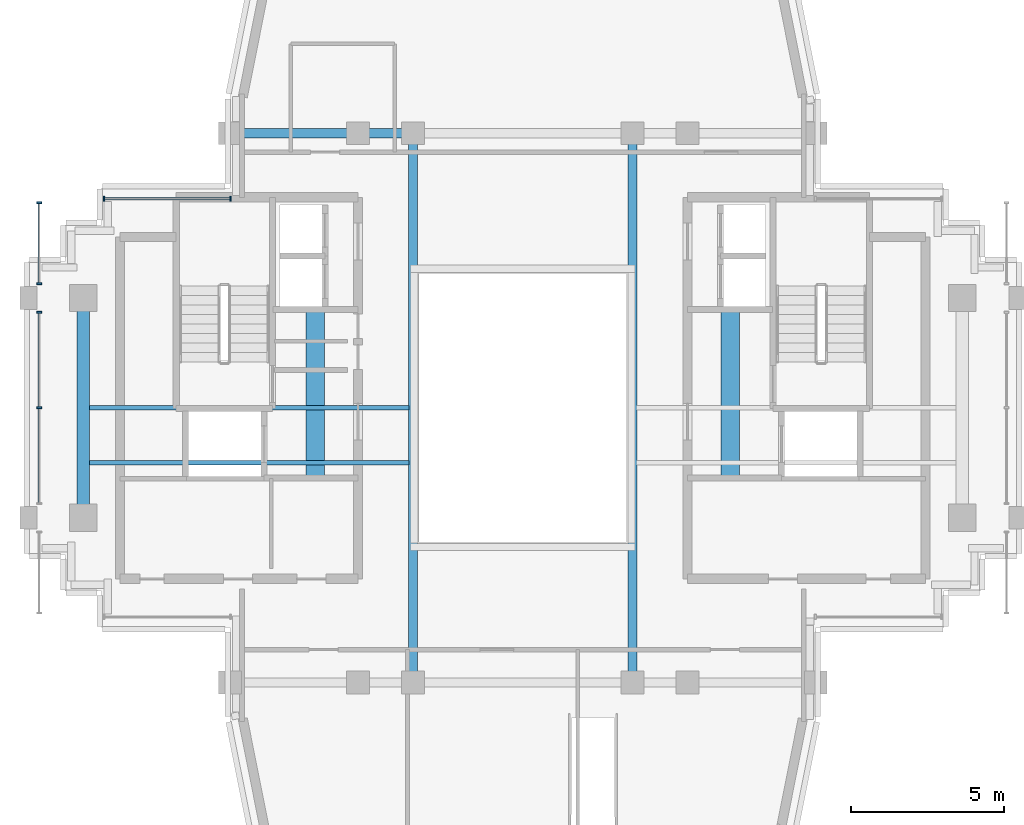
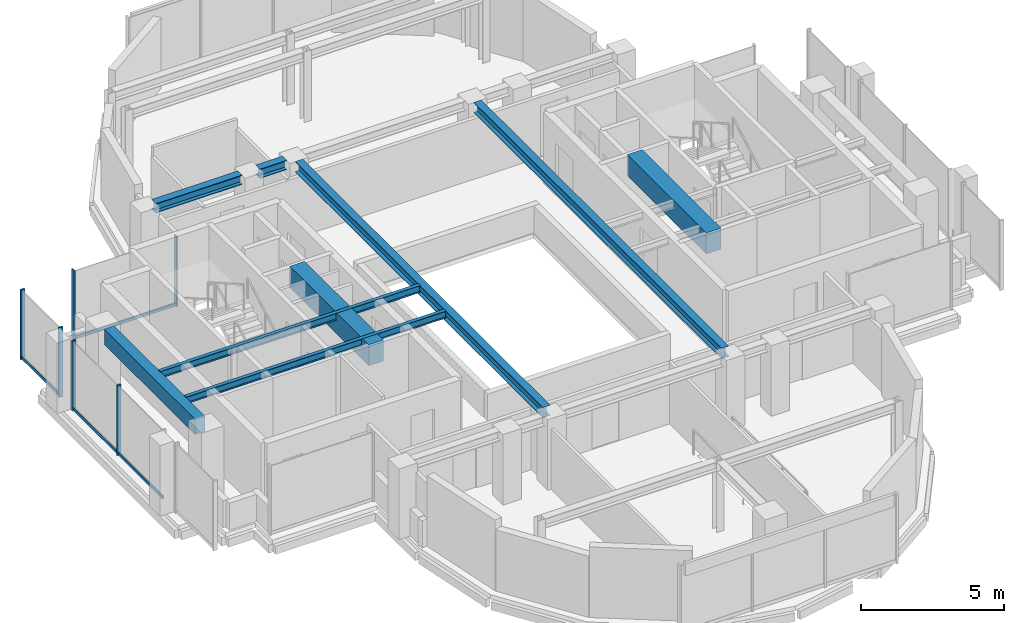
# One storey, part 4 of 11: 10 members, 9 beams, 3 elements without a shape of their own.
"""IFC4 building model written with IfcOpenShell, lengths in metres."""

from ifc_helpers import new_model, si_unit, direction, frame, origin, origin_2d, place, context, subcontext, project, spatial, rectangle, i_section, extrude, source, transform, mapped, material, material_profile, profile_set, type_object, element, aggregate, save


model = new_model("IFC4")

# Units and contexts
model_context = context("Model", 3, precision=1e-05, world=origin(), true_north=direction((0.0, 1.0)))
body_context = subcontext(model_context, "Body", "Model", "MODEL_VIEW")
ifc_project = project(units=[si_unit("LENGTHUNIT", "METRE"), si_unit("AREAUNIT", "SQUARE_METRE"), si_unit("VOLUMEUNIT", "CUBIC_METRE"), si_unit("PLANEANGLEUNIT", "RADIAN"), si_unit("MASSUNIT", "GRAM", prefix="KILO")], contexts=[model_context])

# Site, building, storey
site_placement = place(None, origin())
site = spatial("IfcSite", under=ifc_project, at=site_placement, CompositionType="ELEMENT")
building_placement = place(site_placement, origin())
building = spatial("IfcBuilding", under=site, at=building_placement, Name="Keilestroom Media Tower", CompositionType="ELEMENT")
storey_placement = place(building_placement, frame((0.0, 0.0, 255.60009765625)))
storey = spatial("IfcBuildingStorey", under=building, at=storey_placement, Name="L71", CompositionType="ELEMENT", Elevation=255.60009765625)

# Beams
ifc_material_1 = material(Name="Concrete C70/85", Category="concrete")
ifc_material_profile_1 = material_profile(ifc_material_1, rectangle(XDim=0.60009765625, YDim=0.89990234375, at=origin_2d()), Name="RC 600x900")
ifc_profile_set_1 = profile_set([ifc_material_profile_1], Name="Concrete C70/85")
beam_type_1 = type_object("IfcBeamType", Name="Core-Coupling-Lintel-Beam-RC-600x900", PredefinedType="LINTEL", material=ifc_profile_set_1)
shared_shape_1 = source(origin(), body_context, "Body", "SweptSolid", [
    extrude(rectangle(XDim=0.60009765625, YDim=0.89990234375, at=origin_2d()), origin(), (0.0, 0.0, 1.0), 5.52001953125),
])
for number, where, z_axis, x_axis, name in (
    (1, (-6.800048828125, -2.300048828125, 2.559814453125), (0.0, 1.0, 0.0), (-1.0, 0.0, 0.0), "L71 Beam CLB-1 CLB-L71-W"),
    (2, (6.800048828125, -2.300048828125, 2.559814453125), (0.0, 1.0, 0.0), (-1.0, 0.0, 0.0), "L71 Beam CLB-1 CLB-L71-E"),
):
    element("IfcBeam", number, at=place(storey_placement, frame(where, z_axis=z_axis, x_axis=x_axis)), inside=storey, type_object=beam_type_1, Name=name, PredefinedType="LINTEL", context=body_context, shape_type="MappedRepresentation", body=[
        mapped(shared_shape_1, transform((0.0, 0.0, 0.0), x_axis=(1.0, 0.0, 0.0), y_axis=(0.0, 1.0, 0.0), z_axis=(0.0, 0.0, 1.0), scale=1.0)),
    ])
ifc_material_2 = material(Name="Steel S355", Category="steel")
ifc_material_profile_2 = material_profile(ifc_material_2, i_section(OverallWidth=0.300048828125, OverallDepth=0.39990234375, WebThickness=0.011474609375, FlangeThickness=0.02392578125, at=origin_2d()), Name="HEB 400")
ifc_profile_set_2 = profile_set([ifc_material_profile_2], Name="Steel S355")
beam_type_2 = type_object("IfcBeamType", Name="Primary-Structural-Girder-HEB-400", PredefinedType="BEAM", material=ifc_profile_set_2)
shared_shape_2 = source(origin(), body_context, "Body", "SweptSolid", [
    extrude(i_section(OverallWidth=0.300048828125, OverallDepth=0.39990234375, WebThickness=0.011474609375, FlangeThickness=0.02392578125, at=origin_2d()), origin(), (0.0, 0.0, 1.0), 3.490234375),
])
beam_1_placement = place(storey_placement, frame((-9.2451171875, 9.0, 2.809814453125), z_axis=(1.0, 0.0, 0.0), x_axis=(0.0, 1.0, 0.0)))
element("IfcBeam", 3, at=beam_1_placement, inside=storey, type_object=beam_type_2, Name="L71 Beam BG-8 BM-L71-EW-008", PredefinedType="BEAM", context=body_context, shape_type="MappedRepresentation", body=[
    mapped(shared_shape_2, transform((0.0, 0.0, 0.0), x_axis=(1.0, 0.0, 0.0), y_axis=(0.0, 1.0, 0.0), z_axis=(0.0, 0.0, 1.0), scale=1.0)),
])
shared_shape_3 = source(origin(), body_context, "Body", "SweptSolid", [
    extrude(i_section(OverallWidth=0.300048828125, OverallDepth=0.39990234375, WebThickness=0.011474609375, FlangeThickness=0.02392578125, at=origin_2d()), origin(), (0.0, 0.0, 1.0), 1.08984375),
])
beam_2_placement = place(storey_placement, frame((-5.044921875, 9.0, 2.809814453125), z_axis=(1.0, 0.0, 0.0), x_axis=(0.0, 1.0, 0.0)))
element("IfcBeam", 4, at=beam_2_placement, inside=storey, type_object=beam_type_2, Name="L71 Beam BG-8 BM-L71-EW-009", PredefinedType="BEAM", context=body_context, shape_type="MappedRepresentation", body=[
    mapped(shared_shape_3, transform((0.0, 0.0, 0.0), x_axis=(1.0, 0.0, 0.0), y_axis=(0.0, 1.0, 0.0), z_axis=(0.0, 0.0, 1.0), scale=1.0)),
])
ifc_material_profile_3 = material_profile(ifc_material_2, i_section(OverallWidth=0.300048828125, OverallDepth=0.43994140625, WebThickness=0.011474609375, FlangeThickness=0.02099609375, at=origin_2d()), Name="HEA 450")
ifc_profile_set_3 = profile_set([ifc_material_profile_3], Name="Steel S355")
beam_type_3 = type_object("IfcBeamType", Name="Primary-Structural-Girder-HEA-450", PredefinedType="BEAM", material=ifc_profile_set_3)
shared_shape_4 = source(origin(), body_context, "Body", "SweptSolid", [
    extrude(i_section(OverallWidth=0.300048828125, OverallDepth=0.43994140625, WebThickness=0.011474609375, FlangeThickness=0.02099609375, at=origin_2d()), origin(), (0.0, 0.0, 1.0), 17.2900390625),
])
for number, where, z_axis, x_axis, name in (
    (5, (-3.60009765625, -8.64501953125, 2.789794921875), (0.0, 1.0, 0.0), (-1.0, 0.0, 0.0), "L71 Beam BG-11 BM-L71-NS-021"),
    (6, (3.60009765625, -8.64501953125, 2.789794921875), (0.0, 1.0, 0.0), (-1.0, 0.0, 0.0), "L71 Beam BG-11 BM-L71-NS-024"),
):
    element("IfcBeam", number, at=place(storey_placement, frame(where, z_axis=z_axis, x_axis=x_axis)), inside=storey, type_object=beam_type_3, Name=name, PredefinedType="BEAM", context=body_context, shape_type="MappedRepresentation", body=[
        mapped(shared_shape_4, transform((0.0, 0.0, 0.0), x_axis=(1.0, 0.0, 0.0), y_axis=(0.0, 1.0, 0.0), z_axis=(0.0, 0.0, 1.0), scale=1.0)),
    ])
ifc_material_3 = material(Name="Precast concrete C40/50", Category="concrete")
ifc_material_profile_4 = material_profile(ifc_material_3, rectangle(XDim=0.39990234375, YDim=0.64990234375, at=origin_2d()), Name="PC 400x650")
ifc_profile_set_4 = profile_set([ifc_material_profile_4], Name="Precast concrete C40/50")
beam_type_4 = type_object("IfcBeamType", Name="Perimeter-Spandrel-Beam-PC-400x650", PredefinedType="SPANDREL", material=ifc_profile_set_4)
shared_shape_5 = source(origin(), body_context, "Body", "SweptSolid", [
    extrude(rectangle(XDim=0.39990234375, YDim=0.64990234375, at=origin_2d()), origin(), (0.0, 0.0, 1.0), 6.33984375),
])
beam_3_placement = place(storey_placement, frame((-14.39990234375, -3.169921875, 2.65478515625), z_axis=(0.0, 1.0, 0.0), x_axis=(-1.0, 0.0, 0.0)))
element("IfcBeam", 7, at=beam_3_placement, inside=storey, type_object=beam_type_4, Name="L71 Beam SPB-2 BM-L71-NS-017", PredefinedType="SPANDREL", context=body_context, shape_type="MappedRepresentation", body=[
    mapped(shared_shape_5, transform((0.0, 0.0, 0.0), x_axis=(1.0, 0.0, 0.0), y_axis=(0.0, 1.0, 0.0), z_axis=(0.0, 0.0, 1.0), scale=1.0)),
])
ifc_material_profile_5 = material_profile(ifc_material_2, i_section(OverallWidth=0.14990234375, OverallDepth=0.300048828125, WebThickness=0.007080078125, FlangeThickness=0.0107421875, at=origin_2d()), Name="IPE 300")
ifc_profile_set_5 = profile_set([ifc_material_profile_5], Name="Steel S355")
beam_type_5 = type_object("IfcBeamType", Name="Secondary-Floor-Joist-IPE-300", PredefinedType="JOIST", material=ifc_profile_set_5)
shared_shape_6 = source(origin(), body_context, "Body", "SweptSolid", [
    extrude(i_section(OverallWidth=0.14990234375, OverallDepth=0.300048828125, WebThickness=0.007080078125, FlangeThickness=0.0107421875, at=origin_2d()), origin(), (0.0, 0.0, 1.0), 10.489990234375),
])
for number, where, z_axis, x_axis, name in (
    (8, (-14.219970703125, -1.800048828125, 2.85986328125), (1.0, 0.0, 0.0), (0.0, 1.0, 0.0), "L71 Beam BJ-7 JST-L71-029"),
    (9, (-14.219970703125, 0.0, 2.85986328125), (1.0, 0.0, 0.0), (0.0, 1.0, 0.0), "L71 Beam BJ-7 JST-L71-032"),
):
    element("IfcBeam", number, at=place(storey_placement, frame(where, z_axis=z_axis, x_axis=x_axis)), inside=storey, type_object=beam_type_5, Name=name, PredefinedType="JOIST", context=body_context, shape_type="MappedRepresentation", body=[
        mapped(shared_shape_6, transform((0.0, 0.0, 0.0), x_axis=(1.0, 0.0, 0.0), y_axis=(0.0, 1.0, 0.0), z_axis=(0.0, 0.0, 1.0), scale=1.0)),
    ])

# Curtain wall, members
ifc_material_4 = material(Name="Anodised Aluminium Alloy", Category="aluminium")
curtain_wall_type = type_object("IfcCurtainWallType", Name="Unitised-Curtain-Wall-CW-4", PredefinedType="NOTDEFINED", material=ifc_material_4)
curtain_wall_1_placement = place(storey_placement, origin())
curtain_wall_1 = element("IfcCurtainWall", 10, at=curtain_wall_1_placement, inside=storey, type_object=curtain_wall_type, Name="L71 Curtain Wall CW-4 CW-L71-W-2", PredefinedType="NOTDEFINED")
ifc_material_profile_6 = material_profile(ifc_material_4, rectangle(XDim=0.06005859375, YDim=0.159912109375, at=origin_2d()), Name="ALU MULLION 60x160")
ifc_profile_set_6 = profile_set([ifc_material_profile_6], Name="Anodised Aluminium Alloy")
member_type_1 = type_object("IfcMemberType", Name="Curtain-Wall-Mullion-CW-4", PredefinedType="MULLION", material=ifc_profile_set_6)
shared_shape_7 = source(origin(), body_context, "Body", "SweptSolid", [
    extrude(rectangle(XDim=0.06005859375, YDim=0.159912109375, at=origin_2d()), origin(), (0.0, 0.0, 1.0), 2.97998046875),
])
member_1_placement = place(storey_placement, frame((-15.85009765625, 0.0, 0.0), z_axis=(0.0, 0.0, 1.0), x_axis=(0.0, 1.0, 0.0)))
member_1 = element("IfcMember", 11, at=member_1_placement, type_object=member_type_1, Name="CW-4 Mullion 01", PredefinedType="MULLION", context=body_context, shape_type="MappedRepresentation", body=[
    mapped(shared_shape_7, transform((0.0, 0.0, 0.0), x_axis=(1.0, 0.0, 0.0), y_axis=(0.0, 1.0, 0.0), z_axis=(0.0, 0.0, 1.0), scale=1.0)),
])
member_2_placement = place(storey_placement, frame((-15.85009765625, 3.135009765625, 0.0), z_axis=(0.0, 0.0, 1.0), x_axis=(0.0, 1.0, 0.0)))
member_2 = element("IfcMember", 12, at=member_2_placement, type_object=member_type_1, Name="CW-4 Mullion 02", PredefinedType="MULLION", context=body_context, shape_type="MappedRepresentation", body=[
    mapped(shared_shape_7, transform((0.0, 0.0, 0.0), x_axis=(1.0, 0.0, 0.0), y_axis=(0.0, 1.0, 0.0), z_axis=(0.0, 0.0, 1.0), scale=1.0)),
])

curtain_wall_2_placement = place(storey_placement, origin())
curtain_wall_2 = element("IfcCurtainWall", 13, at=curtain_wall_2_placement, inside=storey, type_object=curtain_wall_type, Name="L71 Curtain Wall CW-4 CW-L71-W-3", PredefinedType="NOTDEFINED")
member_3_placement = place(storey_placement, frame((-15.85009765625, 4.06494140625, 0.0), z_axis=(0.0, 0.0, 1.0), x_axis=(0.0, 1.0, 0.0)))
member_3 = element("IfcMember", 14, at=member_3_placement, type_object=member_type_1, Name="CW-4 Mullion 00", PredefinedType="MULLION", context=body_context, shape_type="MappedRepresentation", body=[
    mapped(shared_shape_7, transform((0.0, 0.0, 0.0), x_axis=(1.0, 0.0, 0.0), y_axis=(0.0, 1.0, 0.0), z_axis=(0.0, 0.0, 1.0), scale=1.0)),
])
member_4_placement = place(storey_placement, frame((-15.85009765625, 6.719970703125, 0.0), z_axis=(0.0, 0.0, 1.0), x_axis=(0.0, 1.0, 0.0)))
member_4 = element("IfcMember", 15, at=member_4_placement, type_object=member_type_1, Name="CW-4 Mullion 01", PredefinedType="MULLION", context=body_context, shape_type="MappedRepresentation", body=[
    mapped(shared_shape_7, transform((0.0, 0.0, 0.0), x_axis=(1.0, 0.0, 0.0), y_axis=(0.0, 1.0, 0.0), z_axis=(0.0, 0.0, 1.0), scale=1.0)),
])

curtain_wall_3_placement = place(storey_placement, origin())
curtain_wall_3 = element("IfcCurtainWall", 16, at=curtain_wall_3_placement, inside=storey, type_object=curtain_wall_type, Name="L71 Curtain Wall CW-4 CW-L71-NW-1", PredefinedType="NOTDEFINED")
member_5_placement = place(storey_placement, frame((-13.719970703125, 6.85009765625, 0.0), z_axis=(0.0, 0.0, 1.0), x_axis=(1.0, 0.0, 0.0)))
member_5 = element("IfcMember", 17, at=member_5_placement, type_object=member_type_1, Name="CW-4 Mullion 00", PredefinedType="MULLION", context=body_context, shape_type="MappedRepresentation", body=[
    mapped(shared_shape_7, transform((0.0, 0.0, 0.0), x_axis=(1.0, 0.0, 0.0), y_axis=(0.0, 1.0, 0.0), z_axis=(0.0, 0.0, 1.0), scale=1.0)),
])
member_6_placement = place(storey_placement, frame((-9.580078125, 6.85009765625, 0.0), z_axis=(0.0, 0.0, 1.0), x_axis=(1.0, 0.0, 0.0)))
member_6 = element("IfcMember", 18, at=member_6_placement, type_object=member_type_1, Name="CW-4 Mullion 01", PredefinedType="MULLION", context=body_context, shape_type="MappedRepresentation", body=[
    mapped(shared_shape_7, transform((0.0, 0.0, 0.0), x_axis=(1.0, 0.0, 0.0), y_axis=(0.0, 1.0, 0.0), z_axis=(0.0, 0.0, 1.0), scale=1.0)),
])

# Member
ifc_material_profile_7 = material_profile(ifc_material_4, rectangle(XDim=0.06005859375, YDim=0.1298828125, at=origin_2d()), Name="ALU TRANSOM 60x130")
ifc_profile_set_7 = profile_set([ifc_material_profile_7], Name="Anodised Aluminium Alloy")
member_type_2 = type_object("IfcMemberType", Name="Curtain-Wall-Transom-CW-4", PredefinedType="USERDEFINED", material=ifc_profile_set_7)
shared_shape_8 = source(origin(), body_context, "Body", "SweptSolid", [
    extrude(rectangle(XDim=0.06005859375, YDim=0.1298828125, at=origin_2d()), origin(), (0.0, 0.0, 1.0), 3.078857421875),
])
member_7_placement = place(storey_placement, frame((-15.85009765625, -3.10693359375, 0.06494140625), z_axis=(0.0, 1.0, 0.0), x_axis=(-1.0, 0.0, 0.0)))
member_7 = element("IfcMember", 19, at=member_7_placement, type_object=member_type_2, Name="CW-4 Transom 00.1", ObjectType="TRANSOM", PredefinedType="USERDEFINED", context=body_context, shape_type="MappedRepresentation", body=[
    mapped(shared_shape_8, transform((0.0, 0.0, 0.0), x_axis=(1.0, 0.0, 0.0), y_axis=(0.0, 1.0, 0.0), z_axis=(0.0, 0.0, 1.0), scale=1.0)),
])

member_8_placement = place(storey_placement, frame((-15.85009765625, 0.028076171875, 0.06494140625), z_axis=(0.0, 1.0, 0.0), x_axis=(-1.0, 0.0, 0.0)))
member_8 = element("IfcMember", 20, at=member_8_placement, type_object=member_type_2, Name="CW-4 Transom 01.1", ObjectType="TRANSOM", PredefinedType="USERDEFINED", context=body_context, shape_type="MappedRepresentation", body=[
    mapped(shared_shape_8, transform((0.0, 0.0, 0.0), x_axis=(1.0, 0.0, 0.0), y_axis=(0.0, 1.0, 0.0), z_axis=(0.0, 0.0, 1.0), scale=1.0)),
])

aggregate(curtain_wall_1, [member_1, member_2, member_7, member_8])

shared_shape_9 = source(origin(), body_context, "Body", "SweptSolid", [
    extrude(rectangle(XDim=0.06005859375, YDim=0.1298828125, at=origin_2d()), origin(), (0.0, 0.0, 1.0), 2.598876953125),
])
member_9_placement = place(storey_placement, frame((-15.85009765625, 4.093017578125, 0.06494140625), z_axis=(0.0, 1.0, 0.0), x_axis=(-1.0, 0.0, 0.0)))
member_9 = element("IfcMember", 21, at=member_9_placement, type_object=member_type_2, Name="CW-4 Transom 00.1", ObjectType="TRANSOM", PredefinedType="USERDEFINED", context=body_context, shape_type="MappedRepresentation", body=[
    mapped(shared_shape_9, transform((0.0, 0.0, 0.0), x_axis=(1.0, 0.0, 0.0), y_axis=(0.0, 1.0, 0.0), z_axis=(0.0, 0.0, 1.0), scale=1.0)),
])

aggregate(curtain_wall_2, [member_3, member_4, member_9])

shared_shape_10 = source(origin(), body_context, "Body", "SweptSolid", [
    extrude(rectangle(XDim=0.06005859375, YDim=0.1298828125, at=origin_2d()), origin(), (0.0, 0.0, 1.0), 4.083984375),
])
member_10_placement = place(storey_placement, frame((-13.69189453125, 6.85009765625, 0.06494140625), z_axis=(1.0, 0.0, 0.0), x_axis=(0.0, 1.0, 0.0)))
member_10 = element("IfcMember", 22, at=member_10_placement, type_object=member_type_2, Name="CW-4 Transom 00.1", ObjectType="TRANSOM", PredefinedType="USERDEFINED", context=body_context, shape_type="MappedRepresentation", body=[
    mapped(shared_shape_10, transform((0.0, 0.0, 0.0), x_axis=(1.0, 0.0, 0.0), y_axis=(0.0, 1.0, 0.0), z_axis=(0.0, 0.0, 1.0), scale=1.0)),
])

aggregate(curtain_wall_3, [member_5, member_6, member_10])

save(model, "model.ifc")
